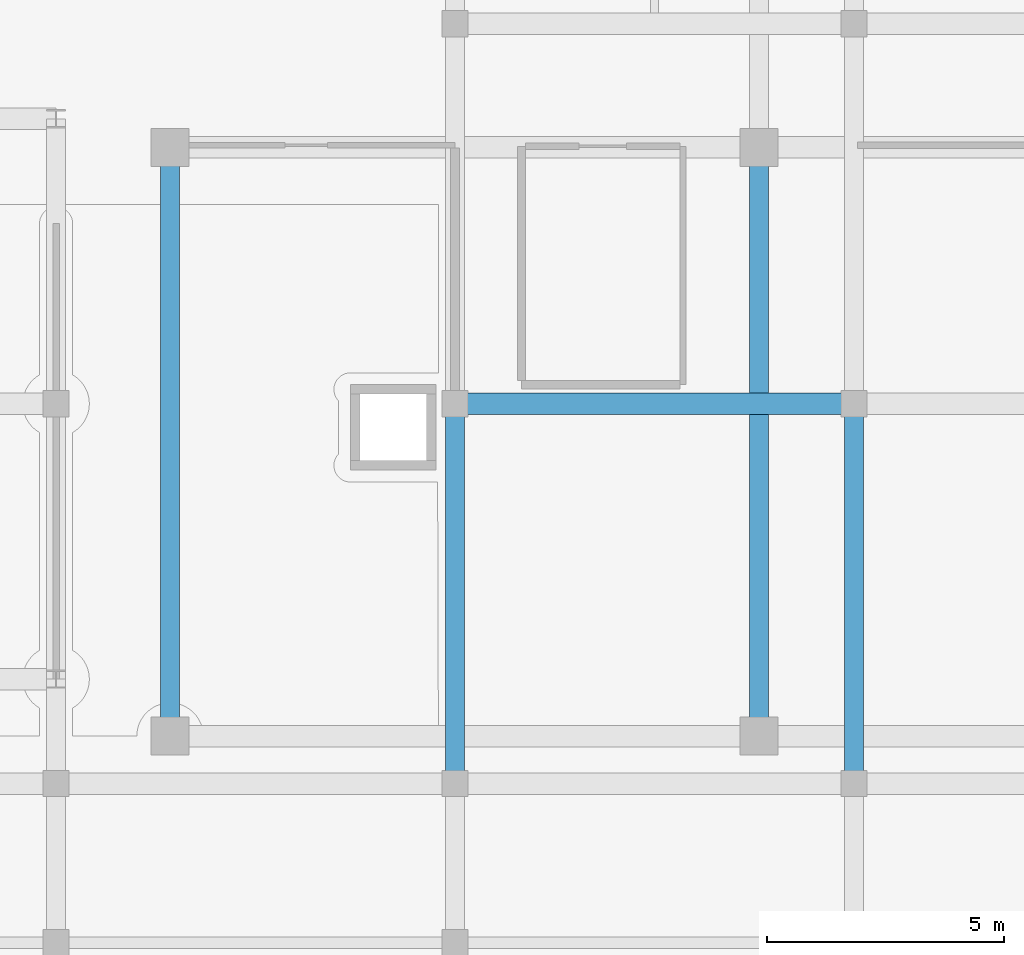
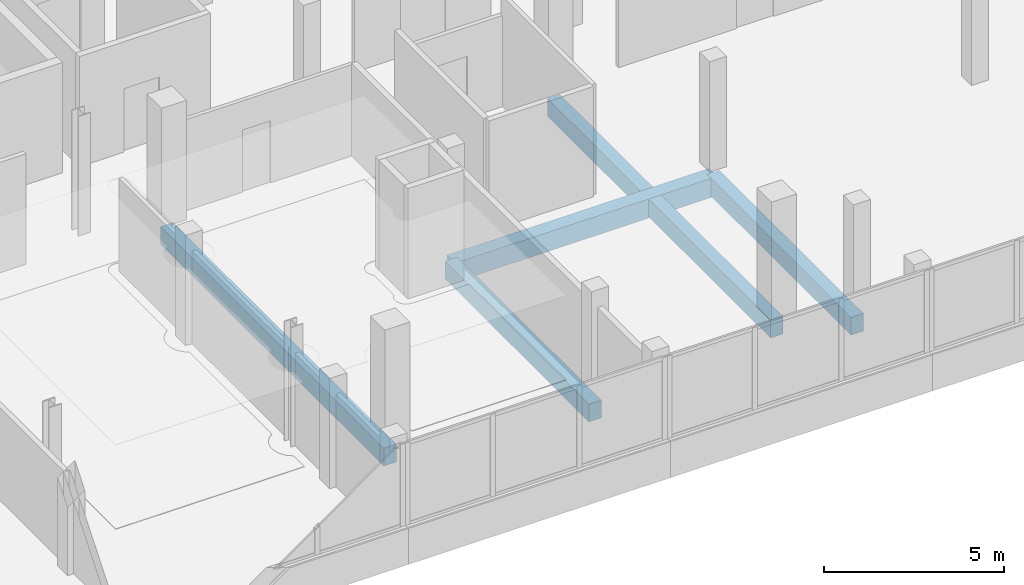
# One storey, part 19 of 67: 5 beams.
"""IFC4 building model written with IfcOpenShell, lengths in metres."""

from ifc_helpers import new_model, si_unit, direction, frame, origin, origin_2d, place, context, subcontext, project, spatial, rectangle, extrude, material, material_profile, profile_set, type_object, element, save


model = new_model("IFC4")

# Units and contexts
model_context = context("Model", 3, precision=1e-05, world=origin(), true_north=direction((0.0, 1.0)))
body_context = subcontext(model_context, "Body", "Model", "MODEL_VIEW")
ifc_project = project(units=[si_unit("LENGTHUNIT", "METRE"), si_unit("AREAUNIT", "SQUARE_METRE"), si_unit("VOLUMEUNIT", "CUBIC_METRE"), si_unit("PLANEANGLEUNIT", "RADIAN"), si_unit("MASSUNIT", "GRAM", prefix="KILO")], contexts=[model_context])

# Site, building, storey
site_placement = place(None, origin())
site = spatial("IfcSite", under=ifc_project, at=site_placement, CompositionType="ELEMENT")
building_placement = place(site_placement, origin())
building = spatial("IfcBuilding", under=site, at=building_placement, Name="Selatvlak General Hospital", CompositionType="ELEMENT")
storey_placement = place(building_placement, frame((0.0, 0.0, 35.39990234375)))
storey = spatial("IfcBuildingStorey", under=building, at=storey_placement, Name="L08", CompositionType="ELEMENT", Elevation=35.39990234375)

# Beams
ifc_material = material(Name="Concrete C40/50", Category="concrete")
ifc_material_profile_1 = material_profile(ifc_material, rectangle(XDim=0.449951171875, YDim=0.64990234375, at=origin_2d()), Name="RC-BM 450x650")
ifc_profile_set_1 = profile_set([ifc_material_profile_1], Name="Concrete C40/50")
beam_type_1 = type_object("IfcBeamType", Name="BM-G04", PredefinedType="BEAM", material=ifc_profile_set_1)
beam_1_placement = place(storey_placement, frame((64.800048828125, 100.0, -0.58984375), z_axis=(1.0, 0.0, 0.0), x_axis=(0.0, 1.0, 0.0)))
element("IfcBeam", 1, at=beam_1_placement, inside=storey, type_object=beam_type_1, Name="Beam BMR-L08-2592", PredefinedType="BEAM", context=body_context, shape_type="SweptSolid", body=[
    extrude(rectangle(XDim=0.449951171875, YDim=0.64990234375, at=origin_2d()), origin(), (0.0, 0.0, 1.0), 8.39990234375),
])
ifc_material_profile_2 = material_profile(ifc_material, rectangle(XDim=0.39990234375, YDim=0.60009765625, at=origin_2d()), Name="RC-BM 400x600")
ifc_profile_set_2 = profile_set([ifc_material_profile_2], Name="Concrete C40/50")
beam_type_2 = type_object("IfcBeamType", Name="BM-G05", PredefinedType="BEAM", material=ifc_profile_set_2)
beam_2_placement = place(storey_placement, frame((58.800048828125, 93.0, -0.56494140625), z_axis=(0.0, 1.0, 0.0), x_axis=(-1.0, 0.0, 0.0)))
element("IfcBeam", 2, at=beam_2_placement, inside=storey, type_object=beam_type_2, Name="Beam BMR-L08-2653", PredefinedType="BEAM", context=body_context, shape_type="SweptSolid", body=[
    extrude(rectangle(XDim=0.39990234375, YDim=0.60009765625, at=origin_2d()), origin(), (0.0, 0.0, 1.0), 12.39990234375),
])
beam_3_placement = place(storey_placement, frame((64.800048828125, 92.0, -0.56494140625), z_axis=(0.0, 1.0, 0.0), x_axis=(-1.0, 0.0, 0.0)))
element("IfcBeam", 3, at=beam_3_placement, inside=storey, type_object=beam_type_2, Name="Beam BMR-L08-2655", PredefinedType="BEAM", context=body_context, shape_type="SweptSolid", body=[
    extrude(rectangle(XDim=0.39990234375, YDim=0.60009765625, at=origin_2d()), origin(), (0.0, 0.0, 1.0), 8.0),
])
beam_4_placement = place(storey_placement, frame((71.199951171875, 93.0, -0.56494140625), z_axis=(0.0, 1.0, 0.0), x_axis=(-1.0, 0.0, 0.0)))
element("IfcBeam", 4, at=beam_4_placement, inside=storey, type_object=beam_type_2, Name="Beam BMR-L08-2659", PredefinedType="BEAM", context=body_context, shape_type="SweptSolid", body=[
    extrude(rectangle(XDim=0.39990234375, YDim=0.60009765625, at=origin_2d()), origin(), (0.0, 0.0, 1.0), 12.39990234375),
])
beam_5_placement = place(storey_placement, frame((73.199951171875, 92.0, -0.56494140625), z_axis=(0.0, 1.0, 0.0), x_axis=(-1.0, 0.0, 0.0)))
element("IfcBeam", 5, at=beam_5_placement, inside=storey, type_object=beam_type_2, Name="Beam BMR-L08-2662", PredefinedType="BEAM", context=body_context, shape_type="SweptSolid", body=[
    extrude(rectangle(XDim=0.39990234375, YDim=0.60009765625, at=origin_2d()), origin(), (0.0, 0.0, 1.0), 8.0),
])

save(model, "model.ifc")
